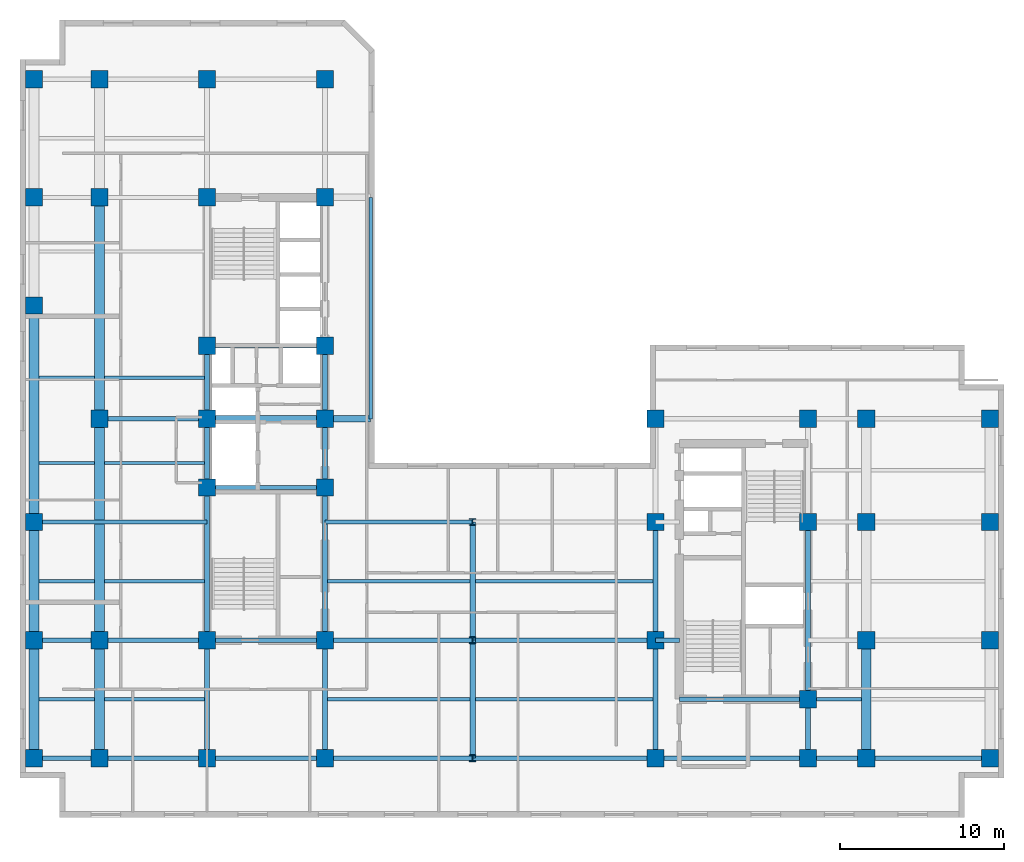
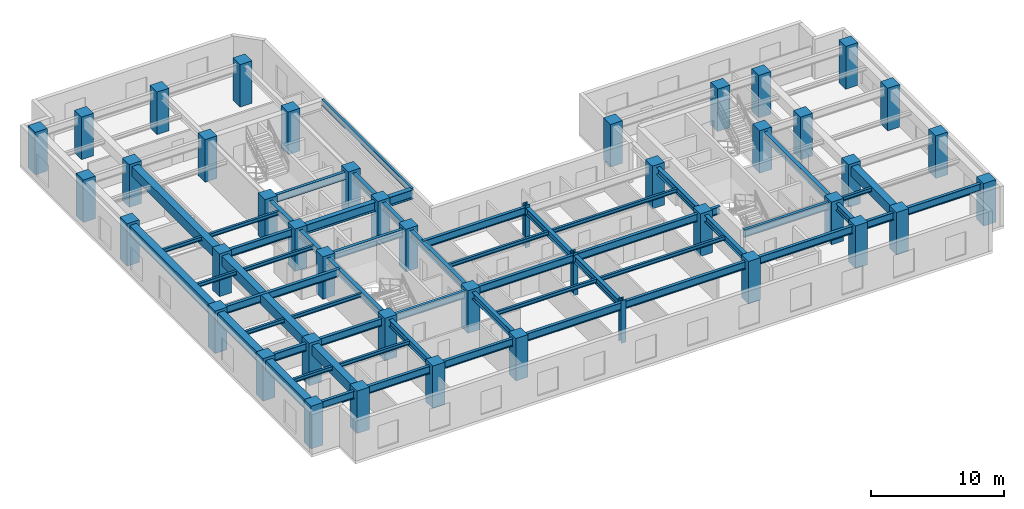
# One storey, part 1 of 10: 56 beams, 44 columns.
"""IFC4 building model written with IfcOpenShell, lengths in metres."""

from ifc_helpers import new_model, entity, si_unit, converted_unit, direction, frame, origin_with_axes, origin_2d_with_axis, place, context, subcontext, project, spatial, rectangle, i_section, extrude, material, material_profile, profile_set, type_object, element, save


model = new_model("IFC4")

# Units and contexts
model_context = context("Model", 3, precision=1e-05, world=origin_with_axes(), true_north=direction((0.0, 1.0)))
body_context = subcontext(model_context, "Body", "Model", "MODEL_VIEW")
ifc_project = project(units=[si_unit("LENGTHUNIT", "METRE"), si_unit("AREAUNIT", "SQUARE_METRE"), si_unit("VOLUMEUNIT", "CUBIC_METRE"), converted_unit("PLANEANGLEUNIT", "DEGREE", entity("IfcPlaneAngleMeasure", 0.017453292519943295), si_unit("PLANEANGLEUNIT", "RADIAN"), dimensions=[0, 0, 0, 0, 0, 0, 0]), si_unit("MASSUNIT", "GRAM", prefix="KILO"), si_unit("THERMODYNAMICTEMPERATUREUNIT", "KELVIN")], contexts=[model_context])

# Site, building, storey
site_placement = place(None, origin_with_axes())
site = spatial("IfcSite", under=ifc_project, at=site_placement, CompositionType="ELEMENT")
building_placement = place(site_placement, origin_with_axes())
building = spatial("IfcBuilding", under=site, at=building_placement, Name="Varnlund Millrace Tower", CompositionType="ELEMENT")
storey_placement = place(building_placement, frame((0.0, 0.0, 129.0), z_axis=(0.0, 0.0, 1.0), x_axis=(1.0, 0.0, 0.0)))
storey = spatial("IfcBuildingStorey", under=building, at=storey_placement, Name="L31", CompositionType="ELEMENT", Elevation=129.0)

# Columns
ifc_material_1 = material(Name="Steel ASTM A913 Grade 65", Category="steel")
ifc_material_profile_1 = material_profile(ifc_material_1, i_section(OverallWidth=0.406, OverallDepth=0.416, WebThickness=0.0298, FlangeThickness=0.048, FilletRadius=0.022, at=origin_2d_with_axis()), Name="Steel ASTM A913 Grade 65")
ifc_profile_set_1 = profile_set([ifc_material_profile_1], Name="Steel ASTM A913 Grade 65")
column_type_1 = type_object("IfcColumnType", Name="Type-Col-Int-W14X257", PredefinedType="COLUMN", material=ifc_profile_set_1)
for number, where, z_axis, x_axis, name in (
    (1, (27.6, 3.6, 0.0), (0.0, 0.0, 1.0), (1.0, 0.0, 0.0), "Type-Col-Int-W14X257"),
    (2, (27.6, 10.8, 0.0), (0.0, 0.0, 1.0), (1.0, 0.0, 0.0), "Type-Col-Int-W14X257"),
    (3, (27.6, 18.0, 0.0), (0.0, 0.0, 1.0), (1.0, 0.0, 0.0), "Type-Col-Int-W14X257"),
):
    element("IfcColumn", number, at=place(storey_placement, frame(where, z_axis=z_axis, x_axis=x_axis)), inside=storey, type_object=column_type_1, Name=name, PredefinedType="COLUMN", context=body_context, shape_type="SweptSolid", body=[
        extrude(i_section(OverallWidth=0.406, OverallDepth=0.416, WebThickness=0.0298, FlangeThickness=0.048, FilletRadius=0.022, at=origin_2d_with_axis()), origin_with_axes(), (0.0, 0.0, 1.0), 3.9),
    ])
ifc_material_2 = material(Name="Concrete C70/85", Category="concrete")
ifc_material_profile_2 = material_profile(ifc_material_2, rectangle(XDim=1.05, YDim=1.05, at=origin_2d_with_axis()), Name="Concrete C70/85")
ifc_profile_set_2 = profile_set([ifc_material_profile_2], Name="Concrete C70/85")
column_type_2 = type_object("IfcColumnType", Name="Type-Col-RC1050-C70", PredefinedType="COLUMN", material=ifc_profile_set_2)
for number, where, z_axis, x_axis, name in (
    (4, (11.4, 3.6, 0.0), (0.0, 0.0, 1.0), (1.0, 0.0, 0.0), "Type-Col-RC1050-C70"),
    (5, (11.4, 10.8, 0.0), (0.0, 0.0, 1.0), (1.0, 0.0, 0.0), "Type-Col-RC1050-C70"),
    (6, (11.4, 20.1, 0.0), (0.0, 0.0, 1.0), (1.0, 0.0, 0.0), "Type-Col-RC1050-C70"),
    (7, (11.4, 24.3, 0.0), (0.0, 0.0, 1.0), (1.0, 0.0, 0.0), "Type-Col-RC1050-C70"),
    (8, (11.4, 28.75, 0.0), (0.0, 0.0, 1.0), (1.0, 0.0, 0.0), "Type-Col-RC1050-C70"),
    (9, (11.4, 37.8, 0.0), (0.0, 0.0, 1.0), (1.0, 0.0, 0.0), "Type-Col-RC1050-C70"),
    (10, (11.4, 45.0, 0.0), (0.0, 0.0, 1.0), (1.0, 0.0, 0.0), "Type-Col-RC1050-C70"),
    (11, (18.6, 3.6, 0.0), (0.0, 0.0, 1.0), (1.0, 0.0, 0.0), "Type-Col-RC1050-C70"),
    (12, (18.6, 10.8, 0.0), (0.0, 0.0, 1.0), (1.0, 0.0, 0.0), "Type-Col-RC1050-C70"),
    (13, (18.6, 20.1, 0.0), (0.0, 0.0, 1.0), (1.0, 0.0, 0.0), "Type-Col-RC1050-C70"),
    (14, (18.6, 24.3, 0.0), (0.0, 0.0, 1.0), (1.0, 0.0, 0.0), "Type-Col-RC1050-C70"),
    (15, (18.6, 28.75, 0.0), (0.0, 0.0, 1.0), (1.0, 0.0, 0.0), "Type-Col-RC1050-C70"),
    (16, (18.6, 37.8, 0.0), (0.0, 0.0, 1.0), (1.0, 0.0, 0.0), "Type-Col-RC1050-C70"),
    (17, (18.6, 45.0, 0.0), (0.0, 0.0, 1.0), (1.0, 0.0, 0.0), "Type-Col-RC1050-C70"),
    (18, (4.85, 3.6, 0.0), (0.0, 0.0, 1.0), (1.0, 0.0, 0.0), "Type-Col-RC1050-C70"),
    (19, (4.85, 10.8, 0.0), (0.0, 0.0, 1.0), (1.0, 0.0, 0.0), "Type-Col-RC1050-C70"),
    (20, (4.85, 24.3, 0.0), (0.0, 0.0, 1.0), (1.0, 0.0, 0.0), "Type-Col-RC1050-C70"),
    (21, (4.85, 37.8, 0.0), (0.0, 0.0, 1.0), (1.0, 0.0, 0.0), "Type-Col-RC1050-C70"),
    (22, (4.85, 45.0, 0.0), (0.0, 0.0, 1.0), (1.0, 0.0, 0.0), "Type-Col-RC1050-C70"),
    (23, (0.85, 3.6, 0.0), (0.0, 0.0, 1.0), (1.0, 0.0, 0.0), "Type-Col-RC1050-C70"),
    (24, (0.85, 10.8, 0.0), (0.0, 0.0, 1.0), (1.0, 0.0, 0.0), "Type-Col-RC1050-C70"),
    (25, (0.85, 18.0, 0.0), (0.0, 0.0, 1.0), (1.0, 0.0, 0.0), "Type-Col-RC1050-C70"),
    (26, (0.85, 31.2, 0.0), (0.0, 0.0, 1.0), (1.0, 0.0, 0.0), "Type-Col-RC1050-C70"),
    (27, (0.85, 37.8, 0.0), (0.0, 0.0, 1.0), (1.0, 0.0, 0.0), "Type-Col-RC1050-C70"),
    (28, (0.85, 45.0, 0.0), (0.0, 0.0, 1.0), (1.0, 0.0, 0.0), "Type-Col-RC1050-C70"),
    (29, (38.75, 3.6, 0.0), (0.0, 0.0, 1.0), (1.0, 0.0, 0.0), "Type-Col-RC1050-C70"),
    (30, (38.75, 10.8, 0.0), (0.0, 0.0, 1.0), (1.0, 0.0, 0.0), "Type-Col-RC1050-C70"),
    (31, (38.75, 18.0, 0.0), (0.0, 0.0, 1.0), (1.0, 0.0, 0.0), "Type-Col-RC1050-C70"),
    (32, (38.75, 24.3, 0.0), (0.0, 0.0, 1.0), (1.0, 0.0, 0.0), "Type-Col-RC1050-C70"),
    (33, (48.05, 3.6, 0.0), (0.0, 0.0, 1.0), (1.0, 0.0, 0.0), "Type-Col-RC1050-C70"),
    (34, (48.05, 7.2, 0.0), (0.0, 0.0, 1.0), (1.0, 0.0, 0.0), "Type-Col-RC1050-C70"),
    (35, (48.05, 18.0, 0.0), (0.0, 0.0, 1.0), (1.0, 0.0, 0.0), "Type-Col-RC1050-C70"),
    (36, (48.05, 24.3, 0.0), (0.0, 0.0, 1.0), (1.0, 0.0, 0.0), "Type-Col-RC1050-C70"),
    (37, (51.6, 3.6, 0.0), (0.0, 0.0, 1.0), (1.0, 0.0, 0.0), "Type-Col-RC1050-C70"),
    (38, (51.6, 10.8, 0.0), (0.0, 0.0, 1.0), (1.0, 0.0, 0.0), "Type-Col-RC1050-C70"),
    (39, (51.6, 18.0, 0.0), (0.0, 0.0, 1.0), (1.0, 0.0, 0.0), "Type-Col-RC1050-C70"),
    (40, (51.6, 24.3, 0.0), (0.0, 0.0, 1.0), (1.0, 0.0, 0.0), "Type-Col-RC1050-C70"),
    (41, (59.15, 3.6, 0.0), (0.0, 0.0, 1.0), (1.0, 0.0, 0.0), "Type-Col-RC1050-C70"),
    (42, (59.15, 10.8, 0.0), (0.0, 0.0, 1.0), (1.0, 0.0, 0.0), "Type-Col-RC1050-C70"),
    (43, (59.15, 18.0, 0.0), (0.0, 0.0, 1.0), (1.0, 0.0, 0.0), "Type-Col-RC1050-C70"),
    (44, (59.15, 24.3, 0.0), (0.0, 0.0, 1.0), (1.0, 0.0, 0.0), "Type-Col-RC1050-C70"),
):
    element("IfcColumn", number, at=place(storey_placement, frame(where, z_axis=z_axis, x_axis=x_axis)), inside=storey, type_object=column_type_2, Name=name, PredefinedType="COLUMN", context=body_context, shape_type="SweptSolid", body=[
        extrude(rectangle(XDim=1.05, YDim=1.05, at=origin_2d_with_axis()), origin_with_axes(), (0.0, 0.0, 1.0), 3.9),
    ])

# Beams
ifc_material_3 = material(Name="Steel ASTM A992 Grade 50", Category="steel")
ifc_material_profile_3 = material_profile(ifc_material_3, i_section(OverallWidth=0.209, OverallDepth=0.533, WebThickness=0.0102, FlangeThickness=0.0156, FilletRadius=0.014, at=origin_2d_with_axis()), Name="Steel ASTM A992 Grade 50")
ifc_profile_set_3 = profile_set([ifc_material_profile_3], Name="Steel ASTM A992 Grade 50")
beam_type_1 = type_object("IfcBeamType", Name="Type-Beam-W21X62", PredefinedType="BEAM", material=ifc_profile_set_3)
beam_1_placement = place(storey_placement, frame((21.378, 24.3, 3.3935), z_axis=(0.0, 1.0, 0.0), x_axis=(-1.0, 0.0, 0.0)))
element("IfcBeam", 45, at=beam_1_placement, inside=storey, type_object=beam_type_1, Name="Type-Beam-W21X62", PredefinedType="BEAM", context=body_context, shape_type="SweptSolid", body=[
    extrude(i_section(OverallWidth=0.209, OverallDepth=0.533, WebThickness=0.0102, FlangeThickness=0.0156, FilletRadius=0.014, at=origin_2d_with_axis()), origin_with_axes(), (0.0, 0.0, 1.0), 13.5),
])
ifc_material_profile_4 = material_profile(ifc_material_3, i_section(OverallWidth=0.328, OverallDepth=0.628, WebThickness=0.0165, FlangeThickness=0.0277, FilletRadius=0.018, at=origin_2d_with_axis()), Name="Steel ASTM A992 Grade 50")
ifc_profile_set_4 = profile_set([ifc_material_profile_4], Name="Steel ASTM A992 Grade 50")
beam_type_2 = type_object("IfcBeamType", Name="Type-Girder-W24X146", PredefinedType="USERDEFINED", material=ifc_profile_set_4)
beam_2_placement = place(storey_placement, frame((11.4, 3.6, 3.346), z_axis=(0.0, 1.0, 0.0), x_axis=(-1.0, 0.0, 0.0)))
element("IfcBeam", 46, at=beam_2_placement, inside=storey, type_object=beam_type_2, Name="Type-Girder-W24X146", ObjectType="GIRDER", PredefinedType="USERDEFINED", context=body_context, shape_type="SweptSolid", body=[
    extrude(i_section(OverallWidth=0.328, OverallDepth=0.628, WebThickness=0.0165, FlangeThickness=0.0277, FilletRadius=0.018, at=origin_2d_with_axis()), origin_with_axes(), (0.0, 0.0, 1.0), 7.2),
])
beam_3_placement = place(storey_placement, frame((11.4, 10.8, 3.346), z_axis=(0.0, 1.0, 0.0), x_axis=(-1.0, 0.0, 0.0)))
element("IfcBeam", 47, at=beam_3_placement, inside=storey, type_object=beam_type_2, Name="Type-Girder-W24X146", ObjectType="GIRDER", PredefinedType="USERDEFINED", context=body_context, shape_type="SweptSolid", body=[
    extrude(i_section(OverallWidth=0.328, OverallDepth=0.628, WebThickness=0.0165, FlangeThickness=0.0277, FilletRadius=0.018, at=origin_2d_with_axis()), origin_with_axes(), (0.0, 0.0, 1.0), 9.3),
])
beam_4_placement = place(storey_placement, frame((11.4, 20.1, 3.346), z_axis=(0.0, 1.0, 0.0), x_axis=(-1.0, 0.0, 0.0)))
element("IfcBeam", 48, at=beam_4_placement, inside=storey, type_object=beam_type_2, Name="Type-Girder-W24X146", ObjectType="GIRDER", PredefinedType="USERDEFINED", context=body_context, shape_type="SweptSolid", body=[
    extrude(i_section(OverallWidth=0.328, OverallDepth=0.628, WebThickness=0.0165, FlangeThickness=0.0277, FilletRadius=0.018, at=origin_2d_with_axis()), origin_with_axes(), (0.0, 0.0, 1.0), 4.2),
])
beam_5_placement = place(storey_placement, frame((11.4, 24.3, 3.346), z_axis=(0.0, 1.0, 0.0), x_axis=(-1.0, 0.0, 0.0)))
element("IfcBeam", 49, at=beam_5_placement, inside=storey, type_object=beam_type_2, Name="Type-Girder-W24X146", ObjectType="GIRDER", PredefinedType="USERDEFINED", context=body_context, shape_type="SweptSolid", body=[
    extrude(i_section(OverallWidth=0.328, OverallDepth=0.628, WebThickness=0.0165, FlangeThickness=0.0277, FilletRadius=0.018, at=origin_2d_with_axis()), origin_with_axes(), (0.0, 0.0, 1.0), 4.45),
])
beam_6_placement = place(storey_placement, frame((18.6, 3.6, 3.346), z_axis=(0.0, 1.0, 0.0), x_axis=(-1.0, 0.0, 0.0)))
element("IfcBeam", 50, at=beam_6_placement, inside=storey, type_object=beam_type_2, Name="Type-Girder-W24X146", ObjectType="GIRDER", PredefinedType="USERDEFINED", context=body_context, shape_type="SweptSolid", body=[
    extrude(i_section(OverallWidth=0.328, OverallDepth=0.628, WebThickness=0.0165, FlangeThickness=0.0277, FilletRadius=0.018, at=origin_2d_with_axis()), origin_with_axes(), (0.0, 0.0, 1.0), 7.2),
])
beam_7_placement = place(storey_placement, frame((18.6, 10.8, 3.346), z_axis=(0.0, 1.0, 0.0), x_axis=(-1.0, 0.0, 0.0)))
element("IfcBeam", 51, at=beam_7_placement, inside=storey, type_object=beam_type_2, Name="Type-Girder-W24X146", ObjectType="GIRDER", PredefinedType="USERDEFINED", context=body_context, shape_type="SweptSolid", body=[
    extrude(i_section(OverallWidth=0.328, OverallDepth=0.628, WebThickness=0.0165, FlangeThickness=0.0277, FilletRadius=0.018, at=origin_2d_with_axis()), origin_with_axes(), (0.0, 0.0, 1.0), 9.3),
])
beam_8_placement = place(storey_placement, frame((18.6, 20.1, 3.346), z_axis=(0.0, 1.0, 0.0), x_axis=(-1.0, 0.0, 0.0)))
element("IfcBeam", 52, at=beam_8_placement, inside=storey, type_object=beam_type_2, Name="Type-Girder-W24X146", ObjectType="GIRDER", PredefinedType="USERDEFINED", context=body_context, shape_type="SweptSolid", body=[
    extrude(i_section(OverallWidth=0.328, OverallDepth=0.628, WebThickness=0.0165, FlangeThickness=0.0277, FilletRadius=0.018, at=origin_2d_with_axis()), origin_with_axes(), (0.0, 0.0, 1.0), 4.2),
])
beam_9_placement = place(storey_placement, frame((18.6, 24.3, 3.346), z_axis=(0.0, 1.0, 0.0), x_axis=(-1.0, 0.0, 0.0)))
element("IfcBeam", 53, at=beam_9_placement, inside=storey, type_object=beam_type_2, Name="Type-Girder-W24X146", ObjectType="GIRDER", PredefinedType="USERDEFINED", context=body_context, shape_type="SweptSolid", body=[
    extrude(i_section(OverallWidth=0.328, OverallDepth=0.628, WebThickness=0.0165, FlangeThickness=0.0277, FilletRadius=0.018, at=origin_2d_with_axis()), origin_with_axes(), (0.0, 0.0, 1.0), 4.45),
])
for number, where, z_axis, x_axis, name in (
    (54, (27.6, 3.6, 3.346), (0.0, 1.0, 0.0), (-1.0, 0.0, 0.0), "Type-Girder-W24X146"),
    (55, (27.6, 10.8, 3.346), (0.0, 1.0, 0.0), (-1.0, 0.0, 0.0), "Type-Girder-W24X146"),
    (56, (38.75, 3.6, 3.346), (0.0, 1.0, 0.0), (-1.0, 0.0, 0.0), "Type-Girder-W24X146"),
    (57, (38.75, 10.8, 3.346), (0.0, 1.0, 0.0), (-1.0, 0.0, 0.0), "Type-Girder-W24X146"),
):
    element("IfcBeam", number, at=place(storey_placement, frame(where, z_axis=z_axis, x_axis=x_axis)), inside=storey, type_object=beam_type_2, Name=name, ObjectType="GIRDER", PredefinedType="USERDEFINED", context=body_context, shape_type="SweptSolid", body=[
        extrude(i_section(OverallWidth=0.328, OverallDepth=0.628, WebThickness=0.0165, FlangeThickness=0.0277, FilletRadius=0.018, at=origin_2d_with_axis()), origin_with_axes(), (0.0, 0.0, 1.0), 7.2),
    ])
beam_10_placement = place(storey_placement, frame((48.05, 3.6, 3.346), z_axis=(0.0, 1.0, 0.0), x_axis=(-1.0, 0.0, 0.0)))
element("IfcBeam", 58, at=beam_10_placement, inside=storey, type_object=beam_type_2, Name="Type-Girder-W24X146", ObjectType="GIRDER", PredefinedType="USERDEFINED", context=body_context, shape_type="SweptSolid", body=[
    extrude(i_section(OverallWidth=0.328, OverallDepth=0.628, WebThickness=0.0165, FlangeThickness=0.0277, FilletRadius=0.018, at=origin_2d_with_axis()), origin_with_axes(), (0.0, 0.0, 1.0), 3.6),
])
beam_11_placement = place(storey_placement, frame((48.05, 7.2, 3.346), z_axis=(0.0, 1.0, 0.0), x_axis=(-1.0, 0.0, 0.0)))
element("IfcBeam", 59, at=beam_11_placement, inside=storey, type_object=beam_type_2, Name="Type-Girder-W24X146", ObjectType="GIRDER", PredefinedType="USERDEFINED", context=body_context, shape_type="SweptSolid", body=[
    extrude(i_section(OverallWidth=0.328, OverallDepth=0.628, WebThickness=0.0165, FlangeThickness=0.0277, FilletRadius=0.018, at=origin_2d_with_axis()), origin_with_axes(), (0.0, 0.0, 1.0), 10.8),
])
ifc_material_profile_5 = material_profile(ifc_material_3, i_section(OverallWidth=0.256, OverallDepth=0.693, WebThickness=0.0145, FlangeThickness=0.0236, FilletRadius=0.018, at=origin_2d_with_axis()), Name="Steel ASTM A992 Grade 50")
ifc_profile_set_5 = profile_set([ifc_material_profile_5], Name="Steel ASTM A992 Grade 50")
beam_type_3 = type_object("IfcBeamType", Name="Type-Girder-W27X114", PredefinedType="USERDEFINED", material=ifc_profile_set_5)
beam_12_placement = place(storey_placement, frame((0.85, 3.6, 3.3135), z_axis=(1.0, 0.0, 0.0), x_axis=(0.0, 1.0, 0.0)))
element("IfcBeam", 60, at=beam_12_placement, inside=storey, type_object=beam_type_3, Name="Type-Girder-W27X114", ObjectType="GIRDER", PredefinedType="USERDEFINED", context=body_context, shape_type="SweptSolid", body=[
    extrude(i_section(OverallWidth=0.256, OverallDepth=0.693, WebThickness=0.0145, FlangeThickness=0.0236, FilletRadius=0.018, at=origin_2d_with_axis()), origin_with_axes(), (0.0, 0.0, 1.0), 4.0),
])
beam_13_placement = place(storey_placement, frame((4.85, 3.6, 3.3135), z_axis=(1.0, 0.0, 0.0), x_axis=(0.0, 1.0, 0.0)))
element("IfcBeam", 61, at=beam_13_placement, inside=storey, type_object=beam_type_3, Name="Type-Girder-W27X114", ObjectType="GIRDER", PredefinedType="USERDEFINED", context=body_context, shape_type="SweptSolid", body=[
    extrude(i_section(OverallWidth=0.256, OverallDepth=0.693, WebThickness=0.0145, FlangeThickness=0.0236, FilletRadius=0.018, at=origin_2d_with_axis()), origin_with_axes(), (0.0, 0.0, 1.0), 6.55),
])
beam_14_placement = place(storey_placement, frame((11.4, 3.6, 3.3135), z_axis=(1.0, 0.0, 0.0), x_axis=(0.0, 1.0, 0.0)))
element("IfcBeam", 62, at=beam_14_placement, inside=storey, type_object=beam_type_3, Name="Type-Girder-W27X114", ObjectType="GIRDER", PredefinedType="USERDEFINED", context=body_context, shape_type="SweptSolid", body=[
    extrude(i_section(OverallWidth=0.256, OverallDepth=0.693, WebThickness=0.0145, FlangeThickness=0.0236, FilletRadius=0.018, at=origin_2d_with_axis()), origin_with_axes(), (0.0, 0.0, 1.0), 7.2),
])
beam_15_placement = place(storey_placement, frame((18.6, 3.6, 3.3135), z_axis=(1.0, 0.0, 0.0), x_axis=(0.0, 1.0, 0.0)))
element("IfcBeam", 63, at=beam_15_placement, inside=storey, type_object=beam_type_3, Name="Type-Girder-W27X114", ObjectType="GIRDER", PredefinedType="USERDEFINED", context=body_context, shape_type="SweptSolid", body=[
    extrude(i_section(OverallWidth=0.256, OverallDepth=0.693, WebThickness=0.0145, FlangeThickness=0.0236, FilletRadius=0.018, at=origin_2d_with_axis()), origin_with_axes(), (0.0, 0.0, 1.0), 9.0),
])
beam_16_placement = place(storey_placement, frame((27.6, 3.6, 3.3135), z_axis=(1.0, 0.0, 0.0), x_axis=(0.0, 1.0, 0.0)))
element("IfcBeam", 64, at=beam_16_placement, inside=storey, type_object=beam_type_3, Name="Type-Girder-W27X114", ObjectType="GIRDER", PredefinedType="USERDEFINED", context=body_context, shape_type="SweptSolid", body=[
    extrude(i_section(OverallWidth=0.256, OverallDepth=0.693, WebThickness=0.0145, FlangeThickness=0.0236, FilletRadius=0.018, at=origin_2d_with_axis()), origin_with_axes(), (0.0, 0.0, 1.0), 11.15),
])
beam_17_placement = place(storey_placement, frame((38.75, 3.6, 3.3135), z_axis=(1.0, 0.0, 0.0), x_axis=(0.0, 1.0, 0.0)))
element("IfcBeam", 65, at=beam_17_placement, inside=storey, type_object=beam_type_3, Name="Type-Girder-W27X114", ObjectType="GIRDER", PredefinedType="USERDEFINED", context=body_context, shape_type="SweptSolid", body=[
    extrude(i_section(OverallWidth=0.256, OverallDepth=0.693, WebThickness=0.0145, FlangeThickness=0.0236, FilletRadius=0.018, at=origin_2d_with_axis()), origin_with_axes(), (0.0, 0.0, 1.0), 9.3),
])
beam_18_placement = place(storey_placement, frame((48.05, 3.6, 3.3135), z_axis=(1.0, 0.0, 0.0), x_axis=(0.0, 1.0, 0.0)))
element("IfcBeam", 66, at=beam_18_placement, inside=storey, type_object=beam_type_3, Name="Type-Girder-W27X114", ObjectType="GIRDER", PredefinedType="USERDEFINED", context=body_context, shape_type="SweptSolid", body=[
    extrude(i_section(OverallWidth=0.256, OverallDepth=0.693, WebThickness=0.0145, FlangeThickness=0.0236, FilletRadius=0.018, at=origin_2d_with_axis()), origin_with_axes(), (0.0, 0.0, 1.0), 3.55),
])
beam_19_placement = place(storey_placement, frame((51.6, 3.6, 3.3135), z_axis=(1.0, 0.0, 0.0), x_axis=(0.0, 1.0, 0.0)))
element("IfcBeam", 67, at=beam_19_placement, inside=storey, type_object=beam_type_3, Name="Type-Girder-W27X114", ObjectType="GIRDER", PredefinedType="USERDEFINED", context=body_context, shape_type="SweptSolid", body=[
    extrude(i_section(OverallWidth=0.256, OverallDepth=0.693, WebThickness=0.0145, FlangeThickness=0.0236, FilletRadius=0.018, at=origin_2d_with_axis()), origin_with_axes(), (0.0, 0.0, 1.0), 7.55),
])
beam_20_placement = place(storey_placement, frame((40.2, 7.2, 3.3135), z_axis=(1.0, 0.0, 0.0), x_axis=(0.0, 1.0, 0.0)))
element("IfcBeam", 68, at=beam_20_placement, inside=storey, type_object=beam_type_3, Name="Type-Girder-W27X114", ObjectType="GIRDER", PredefinedType="USERDEFINED", context=body_context, shape_type="SweptSolid", body=[
    extrude(i_section(OverallWidth=0.256, OverallDepth=0.693, WebThickness=0.0145, FlangeThickness=0.0236, FilletRadius=0.018, at=origin_2d_with_axis()), origin_with_axes(), (0.0, 0.0, 1.0), 7.85),
])
beam_21_placement = place(storey_placement, frame((0.85, 10.8, 3.3135), z_axis=(1.0, 0.0, 0.0), x_axis=(0.0, 1.0, 0.0)))
element("IfcBeam", 69, at=beam_21_placement, inside=storey, type_object=beam_type_3, Name="Type-Girder-W27X114", ObjectType="GIRDER", PredefinedType="USERDEFINED", context=body_context, shape_type="SweptSolid", body=[
    extrude(i_section(OverallWidth=0.256, OverallDepth=0.693, WebThickness=0.0145, FlangeThickness=0.0236, FilletRadius=0.018, at=origin_2d_with_axis()), origin_with_axes(), (0.0, 0.0, 1.0), 4.0),
])
beam_22_placement = place(storey_placement, frame((4.85, 10.8, 3.3135), z_axis=(1.0, 0.0, 0.0), x_axis=(0.0, 1.0, 0.0)))
element("IfcBeam", 70, at=beam_22_placement, inside=storey, type_object=beam_type_3, Name="Type-Girder-W27X114", ObjectType="GIRDER", PredefinedType="USERDEFINED", context=body_context, shape_type="SweptSolid", body=[
    extrude(i_section(OverallWidth=0.256, OverallDepth=0.693, WebThickness=0.0145, FlangeThickness=0.0236, FilletRadius=0.018, at=origin_2d_with_axis()), origin_with_axes(), (0.0, 0.0, 1.0), 6.55),
])
beam_23_placement = place(storey_placement, frame((11.4, 10.8, 3.3135), z_axis=(1.0, 0.0, 0.0), x_axis=(0.0, 1.0, 0.0)))
element("IfcBeam", 71, at=beam_23_placement, inside=storey, type_object=beam_type_3, Name="Type-Girder-W27X114", ObjectType="GIRDER", PredefinedType="USERDEFINED", context=body_context, shape_type="SweptSolid", body=[
    extrude(i_section(OverallWidth=0.256, OverallDepth=0.693, WebThickness=0.0145, FlangeThickness=0.0236, FilletRadius=0.018, at=origin_2d_with_axis()), origin_with_axes(), (0.0, 0.0, 1.0), 7.2),
])
beam_24_placement = place(storey_placement, frame((18.6, 10.8, 3.3135), z_axis=(1.0, 0.0, 0.0), x_axis=(0.0, 1.0, 0.0)))
element("IfcBeam", 72, at=beam_24_placement, inside=storey, type_object=beam_type_3, Name="Type-Girder-W27X114", ObjectType="GIRDER", PredefinedType="USERDEFINED", context=body_context, shape_type="SweptSolid", body=[
    extrude(i_section(OverallWidth=0.256, OverallDepth=0.693, WebThickness=0.0145, FlangeThickness=0.0236, FilletRadius=0.018, at=origin_2d_with_axis()), origin_with_axes(), (0.0, 0.0, 1.0), 9.0),
])
beam_25_placement = place(storey_placement, frame((27.6, 10.8, 3.3135), z_axis=(1.0, 0.0, 0.0), x_axis=(0.0, 1.0, 0.0)))
element("IfcBeam", 73, at=beam_25_placement, inside=storey, type_object=beam_type_3, Name="Type-Girder-W27X114", ObjectType="GIRDER", PredefinedType="USERDEFINED", context=body_context, shape_type="SweptSolid", body=[
    extrude(i_section(OverallWidth=0.256, OverallDepth=0.693, WebThickness=0.0145, FlangeThickness=0.0236, FilletRadius=0.018, at=origin_2d_with_axis()), origin_with_axes(), (0.0, 0.0, 1.0), 11.15),
])
beam_26_placement = place(storey_placement, frame((38.75, 10.8, 3.3135), z_axis=(1.0, 0.0, 0.0), x_axis=(0.0, 1.0, 0.0)))
element("IfcBeam", 74, at=beam_26_placement, inside=storey, type_object=beam_type_3, Name="Type-Girder-W27X114", ObjectType="GIRDER", PredefinedType="USERDEFINED", context=body_context, shape_type="SweptSolid", body=[
    extrude(i_section(OverallWidth=0.256, OverallDepth=0.693, WebThickness=0.0145, FlangeThickness=0.0236, FilletRadius=0.018, at=origin_2d_with_axis()), origin_with_axes(), (0.0, 0.0, 1.0), 1.45),
])
beam_27_placement = place(storey_placement, frame((0.85, 18.0, 3.3135), z_axis=(1.0, 0.0, 0.0), x_axis=(0.0, 1.0, 0.0)))
element("IfcBeam", 75, at=beam_27_placement, inside=storey, type_object=beam_type_3, Name="Type-Girder-W27X114", ObjectType="GIRDER", PredefinedType="USERDEFINED", context=body_context, shape_type="SweptSolid", body=[
    extrude(i_section(OverallWidth=0.256, OverallDepth=0.693, WebThickness=0.0145, FlangeThickness=0.0236, FilletRadius=0.018, at=origin_2d_with_axis()), origin_with_axes(), (0.0, 0.0, 1.0), 10.55),
])
beam_28_placement = place(storey_placement, frame((18.6, 18.0, 3.3135), z_axis=(1.0, 0.0, 0.0), x_axis=(0.0, 1.0, 0.0)))
element("IfcBeam", 76, at=beam_28_placement, inside=storey, type_object=beam_type_3, Name="Type-Girder-W27X114", ObjectType="GIRDER", PredefinedType="USERDEFINED", context=body_context, shape_type="SweptSolid", body=[
    extrude(i_section(OverallWidth=0.256, OverallDepth=0.693, WebThickness=0.0145, FlangeThickness=0.0236, FilletRadius=0.018, at=origin_2d_with_axis()), origin_with_axes(), (0.0, 0.0, 1.0), 9.0),
])
beam_29_placement = place(storey_placement, frame((11.4, 20.1, 3.3135), z_axis=(1.0, 0.0, 0.0), x_axis=(0.0, 1.0, 0.0)))
element("IfcBeam", 77, at=beam_29_placement, inside=storey, type_object=beam_type_3, Name="Type-Girder-W27X114", ObjectType="GIRDER", PredefinedType="USERDEFINED", context=body_context, shape_type="SweptSolid", body=[
    extrude(i_section(OverallWidth=0.256, OverallDepth=0.693, WebThickness=0.0145, FlangeThickness=0.0236, FilletRadius=0.018, at=origin_2d_with_axis()), origin_with_axes(), (0.0, 0.0, 1.0), 7.2),
])
beam_30_placement = place(storey_placement, frame((4.85, 24.3, 3.3135), z_axis=(1.0, 0.0, 0.0), x_axis=(0.0, 1.0, 0.0)))
element("IfcBeam", 78, at=beam_30_placement, inside=storey, type_object=beam_type_3, Name="Type-Girder-W27X114", ObjectType="GIRDER", PredefinedType="USERDEFINED", context=body_context, shape_type="SweptSolid", body=[
    extrude(i_section(OverallWidth=0.256, OverallDepth=0.693, WebThickness=0.0145, FlangeThickness=0.0236, FilletRadius=0.018, at=origin_2d_with_axis()), origin_with_axes(), (0.0, 0.0, 1.0), 6.55),
])
beam_31_placement = place(storey_placement, frame((11.4, 28.75, 3.3135), z_axis=(1.0, 0.0, 0.0), x_axis=(0.0, 1.0, 0.0)))
element("IfcBeam", 79, at=beam_31_placement, inside=storey, type_object=beam_type_3, Name="Type-Girder-W27X114", ObjectType="GIRDER", PredefinedType="USERDEFINED", context=body_context, shape_type="SweptSolid", body=[
    extrude(i_section(OverallWidth=0.256, OverallDepth=0.693, WebThickness=0.0145, FlangeThickness=0.0236, FilletRadius=0.018, at=origin_2d_with_axis()), origin_with_axes(), (0.0, 0.0, 1.0), 7.2),
])
ifc_material_profile_6 = material_profile(ifc_material_3, i_section(OverallWidth=0.399, OverallDepth=0.855, WebThickness=0.0182, FlangeThickness=0.0292, FilletRadius=0.022, at=origin_2d_with_axis()), Name="Steel ASTM A992 Grade 50")
ifc_profile_set_6 = profile_set([ifc_material_profile_6], Name="Steel ASTM A992 Grade 50")
beam_type_4 = type_object("IfcBeamType", Name="Type-Girder-W33X201", PredefinedType="USERDEFINED", material=ifc_profile_set_6)
beam_32_placement = place(storey_placement, frame((11.4, 24.3, 3.2325), z_axis=(1.0, 0.0, 0.0), x_axis=(0.0, 1.0, 0.0)))
element("IfcBeam", 80, at=beam_32_placement, inside=storey, type_object=beam_type_4, Name="Type-Girder-W33X201", ObjectType="GIRDER", PredefinedType="USERDEFINED", context=body_context, shape_type="SweptSolid", body=[
    extrude(i_section(OverallWidth=0.399, OverallDepth=0.855, WebThickness=0.0182, FlangeThickness=0.0292, FilletRadius=0.022, at=origin_2d_with_axis()), origin_with_axes(), (0.0, 0.0, 1.0), 9.978),
])
ifc_material_profile_7 = material_profile(ifc_material_3, i_section(OverallWidth=0.204, OverallDepth=0.35, WebThickness=0.0086, FlangeThickness=0.0151, FilletRadius=0.013, at=origin_2d_with_axis()), Name="Steel ASTM A992 Grade 50")
ifc_profile_set_7 = profile_set([ifc_material_profile_7], Name="Steel ASTM A992 Grade 50")
beam_type_5 = type_object("IfcBeamType", Name="Type-Joist-W14X48", PredefinedType="JOIST", material=ifc_profile_set_7)
for number, where, z_axis, x_axis, name in (
    (81, (1.15, 7.2, 3.485), (1.0, 0.0, 0.0), (0.0, 1.0, 0.0), "Type-Joist-W14X48"),
    (82, (1.15, 14.4, 3.485), (1.0, 0.0, 0.0), (0.0, 1.0, 0.0), "Type-Joist-W14X48"),
    (83, (1.15, 21.6, 3.485), (1.0, 0.0, 0.0), (0.0, 1.0, 0.0), "Type-Joist-W14X48"),
    (84, (1.15, 26.8, 3.485), (1.0, 0.0, 0.0), (0.0, 1.0, 0.0), "Type-Joist-W14X48"),
):
    element("IfcBeam", number, at=place(storey_placement, frame(where, z_axis=z_axis, x_axis=x_axis)), inside=storey, type_object=beam_type_5, Name=name, PredefinedType="JOIST", context=body_context, shape_type="SweptSolid", body=[
        extrude(i_section(OverallWidth=0.204, OverallDepth=0.35, WebThickness=0.0086, FlangeThickness=0.0151, FilletRadius=0.013, at=origin_2d_with_axis()), origin_with_axes(), (0.0, 0.0, 1.0), 3.4),
    ])
for number, where, z_axis, x_axis, name in (
    (85, (5.15, 7.2, 3.485), (1.0, 0.0, 0.0), (0.0, 1.0, 0.0), "Type-Joist-W14X48"),
    (86, (5.15, 14.4, 3.485), (1.0, 0.0, 0.0), (0.0, 1.0, 0.0), "Type-Joist-W14X48"),
    (87, (5.15, 21.6, 3.485), (1.0, 0.0, 0.0), (0.0, 1.0, 0.0), "Type-Joist-W14X48"),
    (88, (5.15, 26.8, 3.485), (1.0, 0.0, 0.0), (0.0, 1.0, 0.0), "Type-Joist-W14X48"),
):
    element("IfcBeam", number, at=place(storey_placement, frame(where, z_axis=z_axis, x_axis=x_axis)), inside=storey, type_object=beam_type_5, Name=name, PredefinedType="JOIST", context=body_context, shape_type="SweptSolid", body=[
        extrude(i_section(OverallWidth=0.204, OverallDepth=0.35, WebThickness=0.0086, FlangeThickness=0.0151, FilletRadius=0.013, at=origin_2d_with_axis()), origin_with_axes(), (0.0, 0.0, 1.0), 6.086),
    ])
beam_33_placement = place(storey_placement, frame((48.214, 7.2, 3.485), z_axis=(1.0, 0.0, 0.0), x_axis=(0.0, 1.0, 0.0)))
element("IfcBeam", 89, at=beam_33_placement, inside=storey, type_object=beam_type_5, Name="Type-Joist-W14X48", PredefinedType="JOIST", context=body_context, shape_type="SweptSolid", body=[
    extrude(i_section(OverallWidth=0.204, OverallDepth=0.35, WebThickness=0.0086, FlangeThickness=0.0151, FilletRadius=0.013, at=origin_2d_with_axis()), origin_with_axes(), (0.0, 0.0, 1.0), 3.086),
])
for number, where, z_axis, x_axis, name in (
    (90, (18.764, 7.2, 3.485), (1.0, 0.0, 0.0), (0.0, 1.0, 0.0), "Type-Joist-W14X48"),
    (91, (18.764, 14.4, 3.485), (1.0, 0.0, 0.0), (0.0, 1.0, 0.0), "Type-Joist-W14X48"),
):
    element("IfcBeam", number, at=place(storey_placement, frame(where, z_axis=z_axis, x_axis=x_axis)), inside=storey, type_object=beam_type_5, Name=name, PredefinedType="JOIST", context=body_context, shape_type="SweptSolid", body=[
        extrude(i_section(OverallWidth=0.204, OverallDepth=0.35, WebThickness=0.0086, FlangeThickness=0.0151, FilletRadius=0.013, at=origin_2d_with_axis()), origin_with_axes(), (0.0, 0.0, 1.0), 8.672),
    ])
for number, where, z_axis, x_axis, name in (
    (92, (27.764, 7.2, 3.485), (1.0, 0.0, 0.0), (0.0, 1.0, 0.0), "Type-Joist-W14X48"),
    (93, (27.764, 14.4, 3.485), (1.0, 0.0, 0.0), (0.0, 1.0, 0.0), "Type-Joist-W14X48"),
):
    element("IfcBeam", number, at=place(storey_placement, frame(where, z_axis=z_axis, x_axis=x_axis)), inside=storey, type_object=beam_type_5, Name=name, PredefinedType="JOIST", context=body_context, shape_type="SweptSolid", body=[
        extrude(i_section(OverallWidth=0.204, OverallDepth=0.35, WebThickness=0.0086, FlangeThickness=0.0151, FilletRadius=0.013, at=origin_2d_with_axis()), origin_with_axes(), (0.0, 0.0, 1.0), 10.822),
    ])
ifc_material_profile_8 = material_profile(ifc_material_2, rectangle(XDim=0.6, YDim=0.9, at=origin_2d_with_axis()), Name="Concrete C70/85")
ifc_profile_set_8 = profile_set([ifc_material_profile_8], Name="Concrete C70/85")
beam_type_6 = type_object("IfcBeamType", Name="Type-Spandrel-RC600X900", PredefinedType="SPANDREL", material=ifc_profile_set_8)
for number, where, z_axis, x_axis, name in (
    (94, (0.85, 3.6, 3.21), (0.0, 1.0, 0.0), (-1.0, 0.0, 0.0), "Type-Spandrel-RC600X900"),
    (95, (0.85, 10.8, 3.21), (0.0, 1.0, 0.0), (-1.0, 0.0, 0.0), "Type-Spandrel-RC600X900"),
):
    element("IfcBeam", number, at=place(storey_placement, frame(where, z_axis=z_axis, x_axis=x_axis)), inside=storey, type_object=beam_type_6, Name=name, PredefinedType="SPANDREL", context=body_context, shape_type="SweptSolid", body=[
        extrude(rectangle(XDim=0.6, YDim=0.9, at=origin_2d_with_axis()), origin_with_axes(), (0.0, 0.0, 1.0), 7.2),
    ])
beam_34_placement = place(storey_placement, frame((0.85, 18.0, 3.21), z_axis=(0.0, 1.0, 0.0), x_axis=(-1.0, 0.0, 0.0)))
element("IfcBeam", 96, at=beam_34_placement, inside=storey, type_object=beam_type_6, Name="Type-Spandrel-RC600X900", PredefinedType="SPANDREL", context=body_context, shape_type="SweptSolid", body=[
    extrude(rectangle(XDim=0.6, YDim=0.9, at=origin_2d_with_axis()), origin_with_axes(), (0.0, 0.0, 1.0), 13.2),
])
beam_35_placement = place(storey_placement, frame((4.85, 3.6, 3.21), z_axis=(0.0, 1.0, 0.0), x_axis=(-1.0, 0.0, 0.0)))
element("IfcBeam", 97, at=beam_35_placement, inside=storey, type_object=beam_type_6, Name="Type-Spandrel-RC600X900", PredefinedType="SPANDREL", context=body_context, shape_type="SweptSolid", body=[
    extrude(rectangle(XDim=0.6, YDim=0.9, at=origin_2d_with_axis()), origin_with_axes(), (0.0, 0.0, 1.0), 7.2),
])
for number, where, z_axis, x_axis, name in (
    (98, (4.85, 10.8, 3.21), (0.0, 1.0, 0.0), (-1.0, 0.0, 0.0), "Type-Spandrel-RC600X900"),
    (99, (4.85, 24.3, 3.21), (0.0, 1.0, 0.0), (-1.0, 0.0, 0.0), "Type-Spandrel-RC600X900"),
):
    element("IfcBeam", number, at=place(storey_placement, frame(where, z_axis=z_axis, x_axis=x_axis)), inside=storey, type_object=beam_type_6, Name=name, PredefinedType="SPANDREL", context=body_context, shape_type="SweptSolid", body=[
        extrude(rectangle(XDim=0.6, YDim=0.9, at=origin_2d_with_axis()), origin_with_axes(), (0.0, 0.0, 1.0), 13.5),
    ])
beam_36_placement = place(storey_placement, frame((51.6, 3.6, 3.21), z_axis=(0.0, 1.0, 0.0), x_axis=(-1.0, 0.0, 0.0)))
element("IfcBeam", 100, at=beam_36_placement, inside=storey, type_object=beam_type_6, Name="Type-Spandrel-RC600X900", PredefinedType="SPANDREL", context=body_context, shape_type="SweptSolid", body=[
    extrude(rectangle(XDim=0.6, YDim=0.9, at=origin_2d_with_axis()), origin_with_axes(), (0.0, 0.0, 1.0), 7.2),
])

save(model, "model.ifc")
